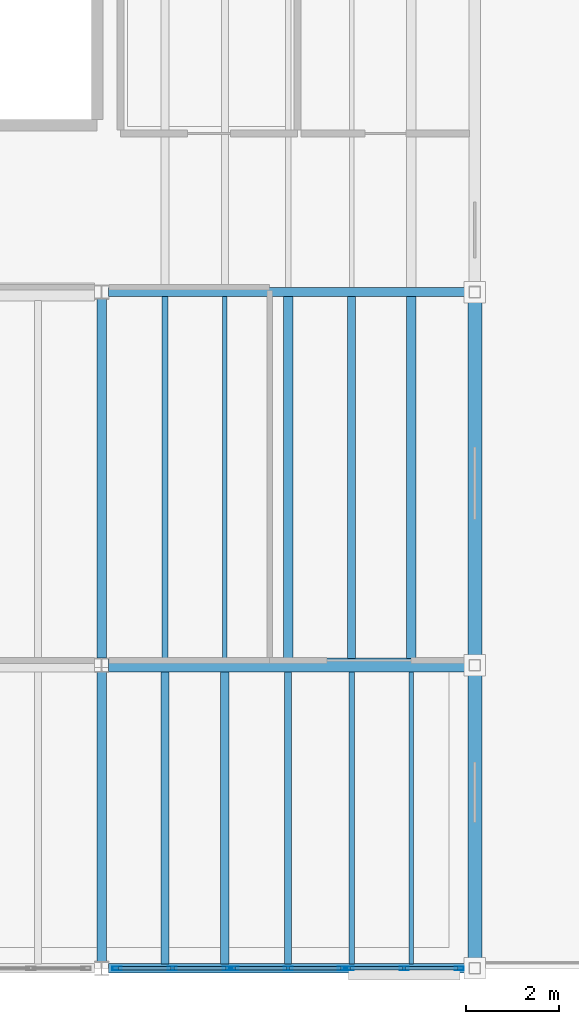
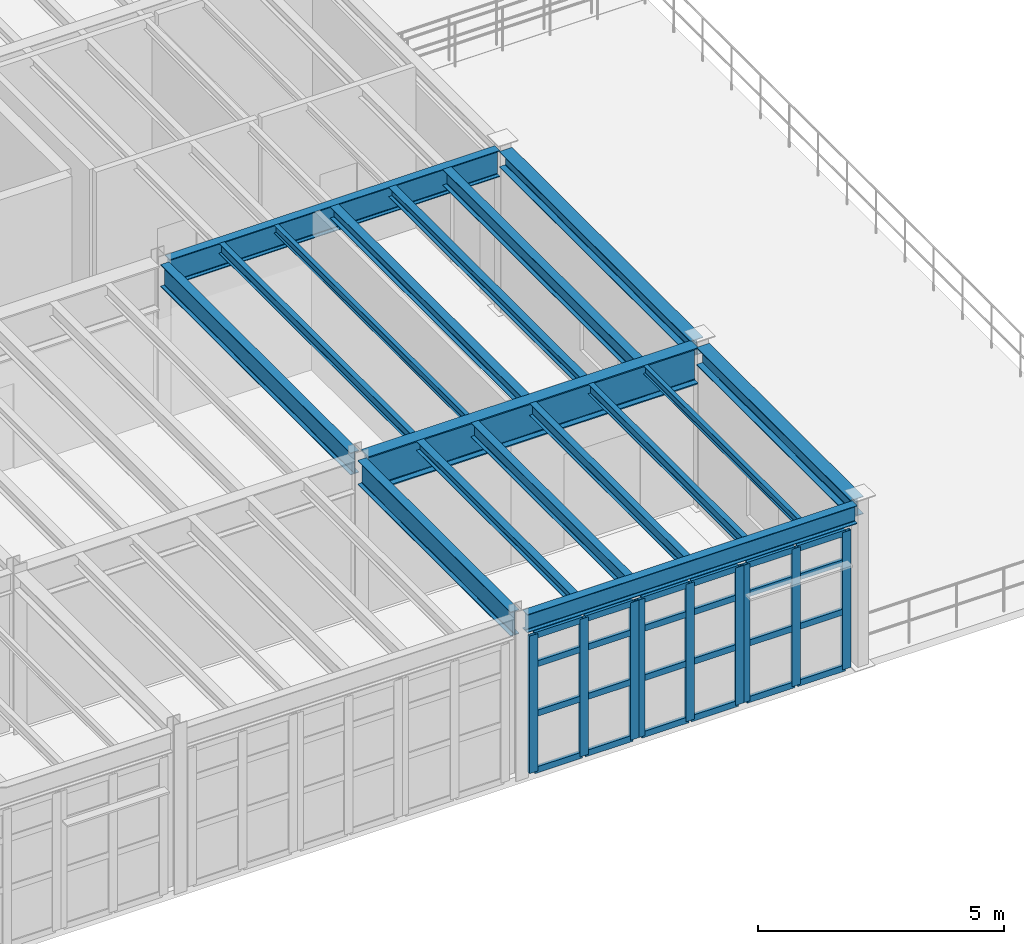
# One storey, part 14 of 78: 33 members, 17 beams, 3 elements without a shape of their own.
"""IFC4 building model written with IfcOpenShell, lengths in metres."""

from ifc_helpers import new_model, si_unit, direction, frame, origin, origin_2d, place, context, subcontext, project, spatial, hollow_rectangle, i_section, extrude, material, material_profile, profile_set, type_object, element, aggregate, save


model = new_model("IFC4")

# Units and contexts
model_context = context("Model", 3, precision=1e-05, world=origin(), true_north=direction((0.0, 1.0)))
body_context = subcontext(model_context, "Body", "Model", "MODEL_VIEW")
ifc_project = project(units=[si_unit("LENGTHUNIT", "METRE"), si_unit("AREAUNIT", "SQUARE_METRE"), si_unit("VOLUMEUNIT", "CUBIC_METRE"), si_unit("PLANEANGLEUNIT", "RADIAN"), si_unit("MASSUNIT", "GRAM", prefix="KILO"), si_unit("THERMODYNAMICTEMPERATUREUNIT", "KELVIN"), si_unit("POWERUNIT", "WATT")], contexts=[model_context])

# Site, building, storey
site_placement = place(None, origin())
site = spatial("IfcSite", under=ifc_project, at=site_placement, CompositionType="ELEMENT")
building_placement = place(site_placement, origin())
building = spatial("IfcBuilding", under=site, at=building_placement, Name="Zhenchuan Central Fire Station", CompositionType="ELEMENT")
storey_placement = place(building_placement, frame((0.0, 0.0, 5.85009765625)))
storey = spatial("IfcBuildingStorey", under=building, at=storey_placement, Name="L02", CompositionType="ELEMENT", Elevation=5.85009765625)

# Beams
ifc_material_1 = material(Name="Steel Q355B", Category="steel")
ifc_material_profile_1 = material_profile(ifc_material_1, i_section(OverallWidth=0.300048828125, OverallDepth=0.389892578125, WebThickness=0.010009765625, FlangeThickness=0.01611328125, FilletRadius=0.02001953125, at=origin_2d()), Name="HM 390x300")
ifc_profile_set_1 = profile_set([ifc_material_profile_1], Name="Steel Q355B")
beam_type_1 = type_object("IfcBeamType", Name="BM-HM390-INT", PredefinedType="BEAM", material=ifc_profile_set_1)
beam_1_placement = place(storey_placement, frame((40.0, 6.625, 3.804931640625), z_axis=(0.0, 1.0, 0.0), x_axis=(-1.0, 0.0, 0.0)))
element("IfcBeam", 1, at=beam_1_placement, inside=storey, type_object=beam_type_1, Name="L03 Girder NS 0305", PredefinedType="BEAM", context=body_context, shape_type="SweptSolid", body=[
    extrude(i_section(OverallWidth=0.300048828125, OverallDepth=0.389892578125, WebThickness=0.010009765625, FlangeThickness=0.01611328125, FilletRadius=0.02001953125, at=origin_2d()), origin(), (0.0, 0.0, 1.0), 7.75),
])
ifc_material_profile_2 = material_profile(ifc_material_1, i_section(OverallWidth=0.300048828125, OverallDepth=0.43994140625, WebThickness=0.010986328125, FlangeThickness=0.01806640625, FilletRadius=0.02197265625, at=origin_2d()), Name="HM 440x300")
ifc_profile_set_2 = profile_set([ifc_material_profile_2], Name="Steel Q355B")
beam_type_2 = type_object("IfcBeamType", Name="BM-HM440-INT", PredefinedType="BEAM", material=ifc_profile_set_2)
beam_2_placement = place(storey_placement, frame((40.0, 0.125, 3.77978515625), z_axis=(0.0, 1.0, 0.0), x_axis=(-1.0, 0.0, 0.0)))
element("IfcBeam", 2, at=beam_2_placement, inside=storey, type_object=beam_type_2, Name="L03 Girder NS 0304", PredefinedType="BEAM", context=body_context, shape_type="SweptSolid", body=[
    extrude(i_section(OverallWidth=0.300048828125, OverallDepth=0.43994140625, WebThickness=0.010986328125, FlangeThickness=0.01806640625, FilletRadius=0.02197265625, at=origin_2d()), origin(), (0.0, 0.0, 1.0), 6.25),
])
ifc_material_profile_3 = material_profile(ifc_material_1, i_section(OverallWidth=0.199951171875, OverallDepth=0.449951171875, WebThickness=0.009033203125, FlangeThickness=0.013916015625, FilletRadius=0.01806640625, at=origin_2d()), Name="HN 450x200")
ifc_profile_set_3 = profile_set([ifc_material_profile_3], Name="Steel Q355B")
beam_type_3 = type_object("IfcBeamType", Name="BM-HN450-EXT", PredefinedType="BEAM", material=ifc_profile_set_3)
beam_3_placement = place(storey_placement, frame((32.14990234375, 0.0, 3.77490234375), z_axis=(1.0, 0.0, 0.0), x_axis=(0.0, 1.0, 0.0)))
element("IfcBeam", 3, at=beam_3_placement, inside=storey, type_object=beam_type_3, Name="L03 Girder EW 0187", PredefinedType="BEAM", context=body_context, shape_type="SweptSolid", body=[
    extrude(i_section(OverallWidth=0.199951171875, OverallDepth=0.449951171875, WebThickness=0.009033203125, FlangeThickness=0.013916015625, FilletRadius=0.01806640625, at=origin_2d()), origin(), (0.0, 0.0, 1.0), 7.72509765625),
])
ifc_material_profile_4 = material_profile(ifc_material_1, i_section(OverallWidth=0.199951171875, OverallDepth=0.550048828125, WebThickness=0.010009765625, FlangeThickness=0.01611328125, FilletRadius=0.02001953125, at=origin_2d()), Name="HN 550x200")
ifc_profile_set_4 = profile_set([ifc_material_profile_4], Name="Steel Q355B")
beam_type_4 = type_object("IfcBeamType", Name="BM-HN550-INT", PredefinedType="BEAM", material=ifc_profile_set_4)
beam_4_placement = place(storey_placement, frame((32.0, 6.64990234375, 3.724853515625), z_axis=(0.0, 1.0, 0.0), x_axis=(-1.0, 0.0, 0.0)))
element("IfcBeam", 4, at=beam_4_placement, inside=storey, type_object=beam_type_4, Name="L03 Girder NS 0300", PredefinedType="BEAM", context=body_context, shape_type="SweptSolid", body=[
    extrude(i_section(OverallWidth=0.199951171875, OverallDepth=0.550048828125, WebThickness=0.010009765625, FlangeThickness=0.01611328125, FilletRadius=0.02001953125, at=origin_2d()), origin(), (0.0, 0.0, 1.0), 7.7001953125),
])
ifc_material_profile_5 = material_profile(ifc_material_1, i_section(OverallWidth=0.199951171875, OverallDepth=0.60009765625, WebThickness=0.010986328125, FlangeThickness=0.01708984375, FilletRadius=0.02197265625, at=origin_2d()), Name="HN 600x200")
ifc_profile_set_5 = profile_set([ifc_material_profile_5], Name="Steel Q355B")
beam_type_5 = type_object("IfcBeamType", Name="BM-HN600-INT", PredefinedType="BEAM", material=ifc_profile_set_5)
beam_5_placement = place(storey_placement, frame((32.0, 0.14990234375, 3.699951171875), z_axis=(0.0, 1.0, 0.0), x_axis=(-1.0, 0.0, 0.0)))
element("IfcBeam", 5, at=beam_5_placement, inside=storey, type_object=beam_type_5, Name="L03 Girder NS 0299", PredefinedType="BEAM", context=body_context, shape_type="SweptSolid", body=[
    extrude(i_section(OverallWidth=0.199951171875, OverallDepth=0.60009765625, WebThickness=0.010986328125, FlangeThickness=0.01708984375, FilletRadius=0.02197265625, at=origin_2d()), origin(), (0.0, 0.0, 1.0), 6.2001953125),
])
ifc_material_profile_6 = material_profile(ifc_material_1, i_section(OverallWidth=0.199951171875, OverallDepth=0.64990234375, WebThickness=0.011962890625, FlangeThickness=0.02001953125, FilletRadius=0.02197265625, at=origin_2d()), Name="HN 650x200")
ifc_profile_set_6 = profile_set([ifc_material_profile_6], Name="Steel Q355B")
beam_type_6 = type_object("IfcBeamType", Name="BM-HN650", PredefinedType="BEAM", material=ifc_profile_set_6)
beam_6_placement = place(storey_placement, frame((32.14990234375, 14.5, 3.6748046875), z_axis=(1.0, 0.0, 0.0), x_axis=(0.0, 1.0, 0.0)))
element("IfcBeam", 6, at=beam_6_placement, inside=storey, type_object=beam_type_6, Name="L03 Girder EW 0211", PredefinedType="BEAM", context=body_context, shape_type="SweptSolid", body=[
    extrude(i_section(OverallWidth=0.199951171875, OverallDepth=0.64990234375, WebThickness=0.011962890625, FlangeThickness=0.02001953125, FilletRadius=0.02197265625, at=origin_2d()), origin(), (0.0, 0.0, 1.0), 7.72509765625),
])
ifc_material_profile_7 = material_profile(ifc_material_1, i_section(OverallWidth=0.300048828125, OverallDepth=0.89990234375, WebThickness=0.01611328125, FlangeThickness=0.028076171875, FilletRadius=0.02587890625, at=origin_2d()), Name="HN 900x300")
ifc_profile_set_7 = profile_set([ifc_material_profile_7], Name="Steel Q355B")
beam_type_7 = type_object("IfcBeamType", Name="BM-HN900", PredefinedType="BEAM", material=ifc_profile_set_7)
beam_7_placement = place(storey_placement, frame((32.14990234375, 6.5, 3.5498046875), z_axis=(1.0, 0.0, 0.0), x_axis=(0.0, 1.0, 0.0)))
element("IfcBeam", 7, at=beam_7_placement, inside=storey, type_object=beam_type_7, Name="L03 Girder EW 0195", PredefinedType="BEAM", context=body_context, shape_type="SweptSolid", body=[
    extrude(i_section(OverallWidth=0.300048828125, OverallDepth=0.89990234375, WebThickness=0.01611328125, FlangeThickness=0.028076171875, FilletRadius=0.02587890625, at=origin_2d()), origin(), (0.0, 0.0, 1.0), 7.72509765625),
])

# Curtain wall, members
ifc_material_2 = material(Name="Anodised aluminium and low-E glazing", Category="aluminium")
curtain_wall_type_1 = type_object("IfcCurtainWallType", Name="CW-MOD-04", PredefinedType="USERDEFINED", material=ifc_material_2)
curtain_wall_1_placement = place(storey_placement, origin())
curtain_wall_1 = element("IfcCurtainWall", 8, at=curtain_wall_1_placement, inside=storey, type_object=curtain_wall_type_1, Name="L02 Unitised Curtain Wall 034", ObjectType="UNITISED GLAZING", PredefinedType="USERDEFINED")
ifc_material_3 = material(Name="Anodised aluminium EN AW-6063", Category="aluminium")
ifc_material_profile_8 = material_profile(ifc_material_3, hollow_rectangle(XDim=0.074951171875, YDim=0.199951171875, WallThickness=0.0048828125, at=origin_2d()), Name="ALU-M 200x75")
ifc_profile_set_8 = profile_set([ifc_material_profile_8], Name="Anodised aluminium EN AW-6063")
member_type_1 = type_object("IfcMemberType", Name="CW-MUL160", PredefinedType="MULLION", material=ifc_profile_set_8)
member_1_placement = place(storey_placement, frame((32.33251953125, 0.0, -0.004150390625), z_axis=(0.0, 0.0, 1.0), x_axis=(0.0, 1.0, 0.0)))
member_1 = element("IfcMember", 9, at=member_1_placement, type_object=member_type_1, Name="CW-04 mullion 1", PredefinedType="MULLION", context=body_context, shape_type="SweptSolid", body=[
    extrude(hollow_rectangle(XDim=0.074951171875, YDim=0.199951171875, WallThickness=0.0048828125, at=origin_2d()), origin(), (0.0, 0.0, 1.0), 3.404052734375),
])
member_2_placement = place(storey_placement, frame((33.514404296875, 0.0, -0.004150390625), z_axis=(0.0, 0.0, 1.0), x_axis=(0.0, 1.0, 0.0)))
member_2 = element("IfcMember", 10, at=member_2_placement, type_object=member_type_1, Name="CW-04 mullion 2", PredefinedType="MULLION", context=body_context, shape_type="SweptSolid", body=[
    extrude(hollow_rectangle(XDim=0.074951171875, YDim=0.199951171875, WallThickness=0.0048828125, at=origin_2d()), origin(), (0.0, 0.0, 1.0), 3.404052734375),
])
member_3_placement = place(storey_placement, frame((34.6962890625, 0.0, -0.004150390625), z_axis=(0.0, 0.0, 1.0), x_axis=(0.0, 1.0, 0.0)))
member_3 = element("IfcMember", 11, at=member_3_placement, type_object=member_type_1, Name="CW-04 mullion 3", PredefinedType="MULLION", context=body_context, shape_type="SweptSolid", body=[
    extrude(hollow_rectangle(XDim=0.074951171875, YDim=0.199951171875, WallThickness=0.0048828125, at=origin_2d()), origin(), (0.0, 0.0, 1.0), 3.404052734375),
])

curtain_wall_type_2 = type_object("IfcCurtainWallType", Name="CW-MOD-05", PredefinedType="USERDEFINED", material=ifc_material_2)
curtain_wall_2_placement = place(storey_placement, origin())
curtain_wall_2 = element("IfcCurtainWall", 12, at=curtain_wall_2_placement, inside=storey, type_object=curtain_wall_type_2, Name="L02 Unitised Curtain Wall 035", ObjectType="UNITISED GLAZING", PredefinedType="USERDEFINED")
member_4_placement = place(storey_placement, frame((34.837158203125, 0.0, -0.004150390625), z_axis=(0.0, 0.0, 1.0), x_axis=(0.0, 1.0, 0.0)))
member_4 = element("IfcMember", 13, at=member_4_placement, type_object=member_type_1, Name="CW-05 mullion 1", PredefinedType="MULLION", context=body_context, shape_type="SweptSolid", body=[
    extrude(hollow_rectangle(XDim=0.074951171875, YDim=0.199951171875, WallThickness=0.0048828125, at=origin_2d()), origin(), (0.0, 0.0, 1.0), 3.404052734375),
])
member_5_placement = place(storey_placement, frame((36.0, 0.0, -0.004150390625), z_axis=(0.0, 0.0, 1.0), x_axis=(0.0, 1.0, 0.0)))
member_5 = element("IfcMember", 14, at=member_5_placement, type_object=member_type_1, Name="CW-05 mullion 2", PredefinedType="MULLION", context=body_context, shape_type="SweptSolid", body=[
    extrude(hollow_rectangle(XDim=0.074951171875, YDim=0.199951171875, WallThickness=0.0048828125, at=origin_2d()), origin(), (0.0, 0.0, 1.0), 3.404052734375),
])
member_6_placement = place(storey_placement, frame((37.162841796875, 0.0, -0.004150390625), z_axis=(0.0, 0.0, 1.0), x_axis=(0.0, 1.0, 0.0)))
member_6 = element("IfcMember", 15, at=member_6_placement, type_object=member_type_1, Name="CW-05 mullion 3", PredefinedType="MULLION", context=body_context, shape_type="SweptSolid", body=[
    extrude(hollow_rectangle(XDim=0.074951171875, YDim=0.199951171875, WallThickness=0.0048828125, at=origin_2d()), origin(), (0.0, 0.0, 1.0), 3.404052734375),
])

curtain_wall_type_3 = type_object("IfcCurtainWallType", Name="CW-MOD-06", PredefinedType="USERDEFINED", material=ifc_material_2)
curtain_wall_3_placement = place(storey_placement, origin())
curtain_wall_3 = element("IfcCurtainWall", 16, at=curtain_wall_3_placement, inside=storey, type_object=curtain_wall_type_3, Name="L02 Unitised Curtain Wall 036", ObjectType="UNITISED GLAZING", PredefinedType="USERDEFINED")
member_7_placement = place(storey_placement, frame((37.3037109375, 0.0, -0.004150390625), z_axis=(0.0, 0.0, 1.0), x_axis=(0.0, 1.0, 0.0)))
member_7 = element("IfcMember", 17, at=member_7_placement, type_object=member_type_1, Name="CW-06 mullion 1", PredefinedType="MULLION", context=body_context, shape_type="SweptSolid", body=[
    extrude(hollow_rectangle(XDim=0.074951171875, YDim=0.199951171875, WallThickness=0.0048828125, at=origin_2d()), origin(), (0.0, 0.0, 1.0), 3.404052734375),
])
member_8_placement = place(storey_placement, frame((38.485595703125, 0.0, -0.004150390625), z_axis=(0.0, 0.0, 1.0), x_axis=(0.0, 1.0, 0.0)))
member_8 = element("IfcMember", 18, at=member_8_placement, type_object=member_type_1, Name="CW-06 mullion 2", PredefinedType="MULLION", context=body_context, shape_type="SweptSolid", body=[
    extrude(hollow_rectangle(XDim=0.074951171875, YDim=0.199951171875, WallThickness=0.0048828125, at=origin_2d()), origin(), (0.0, 0.0, 1.0), 3.404052734375),
])
member_9_placement = place(storey_placement, frame((39.66748046875, 0.0, -0.004150390625), z_axis=(0.0, 0.0, 1.0), x_axis=(0.0, 1.0, 0.0)))
member_9 = element("IfcMember", 19, at=member_9_placement, type_object=member_type_1, Name="CW-06 mullion 3", PredefinedType="MULLION", context=body_context, shape_type="SweptSolid", body=[
    extrude(hollow_rectangle(XDim=0.074951171875, YDim=0.199951171875, WallThickness=0.0048828125, at=origin_2d()), origin(), (0.0, 0.0, 1.0), 3.404052734375),
])

# Member
ifc_material_profile_9 = material_profile(ifc_material_3, hollow_rectangle(XDim=0.074951171875, YDim=0.14990234375, WallThickness=0.0048828125, at=origin_2d()), Name="ALU-T 150x75")
ifc_profile_set_9 = profile_set([ifc_material_profile_9], Name="Anodised aluminium EN AW-6063")
member_type_2 = type_object("IfcMemberType", Name="CW-TRN130", PredefinedType="NOTDEFINED", material=ifc_profile_set_9)
member_10_placement = place(storey_placement, frame((32.364990234375, 0.0, 0.0283203125), z_axis=(1.0, 0.0, 0.0), x_axis=(0.0, 1.0, 0.0)))
member_10 = element("IfcMember", 20, at=member_10_placement, type_object=member_type_2, Name="CW-04 transom 1.1", ObjectType="TRANSOM", PredefinedType="USERDEFINED", context=body_context, shape_type="SweptSolid", body=[
    extrude(hollow_rectangle(XDim=0.074951171875, YDim=0.14990234375, WallThickness=0.0048828125, at=origin_2d()), origin(), (0.0, 0.0, 1.0), 1.116943359375),
])

member_11_placement = place(storey_placement, frame((32.364990234375, 0.0, 1.427978515625), z_axis=(1.0, 0.0, 0.0), x_axis=(0.0, 1.0, 0.0)))
member_11 = element("IfcMember", 21, at=member_11_placement, type_object=member_type_2, Name="CW-04 transom 1.2", ObjectType="TRANSOM", PredefinedType="USERDEFINED", context=body_context, shape_type="SweptSolid", body=[
    extrude(hollow_rectangle(XDim=0.074951171875, YDim=0.14990234375, WallThickness=0.0048828125, at=origin_2d()), origin(), (0.0, 0.0, 1.0), 1.116943359375),
])

member_12_placement = place(storey_placement, frame((32.364990234375, 0.0, 2.65185546875), z_axis=(1.0, 0.0, 0.0), x_axis=(0.0, 1.0, 0.0)))
member_12 = element("IfcMember", 22, at=member_12_placement, type_object=member_type_2, Name="CW-04 transom 1.3", ObjectType="TRANSOM", PredefinedType="USERDEFINED", context=body_context, shape_type="SweptSolid", body=[
    extrude(hollow_rectangle(XDim=0.074951171875, YDim=0.14990234375, WallThickness=0.0048828125, at=origin_2d()), origin(), (0.0, 0.0, 1.0), 1.116943359375),
])

member_13_placement = place(storey_placement, frame((32.364990234375, 0.0, 3.367431640625), z_axis=(1.0, 0.0, 0.0), x_axis=(0.0, 1.0, 0.0)))
member_13 = element("IfcMember", 23, at=member_13_placement, type_object=member_type_2, Name="CW-04 transom 1.4", ObjectType="TRANSOM", PredefinedType="USERDEFINED", context=body_context, shape_type="SweptSolid", body=[
    extrude(hollow_rectangle(XDim=0.074951171875, YDim=0.14990234375, WallThickness=0.0048828125, at=origin_2d()), origin(), (0.0, 0.0, 1.0), 1.116943359375),
])

member_14_placement = place(storey_placement, frame((33.546875, 0.0, 0.0283203125), z_axis=(1.0, 0.0, 0.0), x_axis=(0.0, 1.0, 0.0)))
member_14 = element("IfcMember", 24, at=member_14_placement, type_object=member_type_2, Name="CW-04 transom 2.1", ObjectType="TRANSOM", PredefinedType="USERDEFINED", context=body_context, shape_type="SweptSolid", body=[
    extrude(hollow_rectangle(XDim=0.074951171875, YDim=0.14990234375, WallThickness=0.0048828125, at=origin_2d()), origin(), (0.0, 0.0, 1.0), 1.116943359375),
])

member_15_placement = place(storey_placement, frame((33.546875, 0.0, 1.427978515625), z_axis=(1.0, 0.0, 0.0), x_axis=(0.0, 1.0, 0.0)))
member_15 = element("IfcMember", 25, at=member_15_placement, type_object=member_type_2, Name="CW-04 transom 2.2", ObjectType="TRANSOM", PredefinedType="USERDEFINED", context=body_context, shape_type="SweptSolid", body=[
    extrude(hollow_rectangle(XDim=0.074951171875, YDim=0.14990234375, WallThickness=0.0048828125, at=origin_2d()), origin(), (0.0, 0.0, 1.0), 1.116943359375),
])

member_16_placement = place(storey_placement, frame((33.546875, 0.0, 2.65185546875), z_axis=(1.0, 0.0, 0.0), x_axis=(0.0, 1.0, 0.0)))
member_16 = element("IfcMember", 26, at=member_16_placement, type_object=member_type_2, Name="CW-04 transom 2.3", ObjectType="TRANSOM", PredefinedType="USERDEFINED", context=body_context, shape_type="SweptSolid", body=[
    extrude(hollow_rectangle(XDim=0.074951171875, YDim=0.14990234375, WallThickness=0.0048828125, at=origin_2d()), origin(), (0.0, 0.0, 1.0), 1.116943359375),
])

member_17_placement = place(storey_placement, frame((33.546875, 0.0, 3.367431640625), z_axis=(1.0, 0.0, 0.0), x_axis=(0.0, 1.0, 0.0)))
member_17 = element("IfcMember", 27, at=member_17_placement, type_object=member_type_2, Name="CW-04 transom 2.4", ObjectType="TRANSOM", PredefinedType="USERDEFINED", context=body_context, shape_type="SweptSolid", body=[
    extrude(hollow_rectangle(XDim=0.074951171875, YDim=0.14990234375, WallThickness=0.0048828125, at=origin_2d()), origin(), (0.0, 0.0, 1.0), 1.116943359375),
])

aggregate(curtain_wall_1, [member_1, member_2, member_3, member_10, member_11, member_12, member_13, member_14, member_15, member_16, member_17])

member_18_placement = place(storey_placement, frame((34.86962890625, 0.0, 0.0283203125), z_axis=(1.0, 0.0, 0.0), x_axis=(0.0, 1.0, 0.0)))
member_18 = element("IfcMember", 28, at=member_18_placement, type_object=member_type_2, Name="CW-05 transom 1.1", ObjectType="TRANSOM", PredefinedType="USERDEFINED", context=body_context, shape_type="SweptSolid", body=[
    extrude(hollow_rectangle(XDim=0.074951171875, YDim=0.14990234375, WallThickness=0.0048828125, at=origin_2d()), origin(), (0.0, 0.0, 1.0), 1.097900390625),
])

member_19_placement = place(storey_placement, frame((34.86962890625, 0.0, 1.427978515625), z_axis=(1.0, 0.0, 0.0), x_axis=(0.0, 1.0, 0.0)))
member_19 = element("IfcMember", 29, at=member_19_placement, type_object=member_type_2, Name="CW-05 transom 1.2", ObjectType="TRANSOM", PredefinedType="USERDEFINED", context=body_context, shape_type="SweptSolid", body=[
    extrude(hollow_rectangle(XDim=0.074951171875, YDim=0.14990234375, WallThickness=0.0048828125, at=origin_2d()), origin(), (0.0, 0.0, 1.0), 1.097900390625),
])

member_20_placement = place(storey_placement, frame((34.86962890625, 0.0, 2.65185546875), z_axis=(1.0, 0.0, 0.0), x_axis=(0.0, 1.0, 0.0)))
member_20 = element("IfcMember", 30, at=member_20_placement, type_object=member_type_2, Name="CW-05 transom 1.3", ObjectType="TRANSOM", PredefinedType="USERDEFINED", context=body_context, shape_type="SweptSolid", body=[
    extrude(hollow_rectangle(XDim=0.074951171875, YDim=0.14990234375, WallThickness=0.0048828125, at=origin_2d()), origin(), (0.0, 0.0, 1.0), 1.097900390625),
])

member_21_placement = place(storey_placement, frame((34.86962890625, 0.0, 3.367431640625), z_axis=(1.0, 0.0, 0.0), x_axis=(0.0, 1.0, 0.0)))
member_21 = element("IfcMember", 31, at=member_21_placement, type_object=member_type_2, Name="CW-05 transom 1.4", ObjectType="TRANSOM", PredefinedType="USERDEFINED", context=body_context, shape_type="SweptSolid", body=[
    extrude(hollow_rectangle(XDim=0.074951171875, YDim=0.14990234375, WallThickness=0.0048828125, at=origin_2d()), origin(), (0.0, 0.0, 1.0), 1.097900390625),
])

member_22_placement = place(storey_placement, frame((36.032470703125, 0.0, 0.0283203125), z_axis=(1.0, 0.0, 0.0), x_axis=(0.0, 1.0, 0.0)))
member_22 = element("IfcMember", 32, at=member_22_placement, type_object=member_type_2, Name="CW-05 transom 2.1", ObjectType="TRANSOM", PredefinedType="USERDEFINED", context=body_context, shape_type="SweptSolid", body=[
    extrude(hollow_rectangle(XDim=0.074951171875, YDim=0.14990234375, WallThickness=0.0048828125, at=origin_2d()), origin(), (0.0, 0.0, 1.0), 1.097900390625),
])

member_23_placement = place(storey_placement, frame((36.032470703125, 0.0, 1.427978515625), z_axis=(1.0, 0.0, 0.0), x_axis=(0.0, 1.0, 0.0)))
member_23 = element("IfcMember", 33, at=member_23_placement, type_object=member_type_2, Name="CW-05 transom 2.2", ObjectType="TRANSOM", PredefinedType="USERDEFINED", context=body_context, shape_type="SweptSolid", body=[
    extrude(hollow_rectangle(XDim=0.074951171875, YDim=0.14990234375, WallThickness=0.0048828125, at=origin_2d()), origin(), (0.0, 0.0, 1.0), 1.097900390625),
])

member_24_placement = place(storey_placement, frame((36.032470703125, 0.0, 2.65185546875), z_axis=(1.0, 0.0, 0.0), x_axis=(0.0, 1.0, 0.0)))
member_24 = element("IfcMember", 34, at=member_24_placement, type_object=member_type_2, Name="CW-05 transom 2.3", ObjectType="TRANSOM", PredefinedType="USERDEFINED", context=body_context, shape_type="SweptSolid", body=[
    extrude(hollow_rectangle(XDim=0.074951171875, YDim=0.14990234375, WallThickness=0.0048828125, at=origin_2d()), origin(), (0.0, 0.0, 1.0), 1.097900390625),
])

member_25_placement = place(storey_placement, frame((36.032470703125, 0.0, 3.367431640625), z_axis=(1.0, 0.0, 0.0), x_axis=(0.0, 1.0, 0.0)))
member_25 = element("IfcMember", 35, at=member_25_placement, type_object=member_type_2, Name="CW-05 transom 2.4", ObjectType="TRANSOM", PredefinedType="USERDEFINED", context=body_context, shape_type="SweptSolid", body=[
    extrude(hollow_rectangle(XDim=0.074951171875, YDim=0.14990234375, WallThickness=0.0048828125, at=origin_2d()), origin(), (0.0, 0.0, 1.0), 1.097900390625),
])

aggregate(curtain_wall_2, [member_4, member_5, member_6, member_18, member_19, member_20, member_21, member_22, member_23, member_24, member_25])

member_26_placement = place(storey_placement, frame((37.336181640625, 0.0, 0.0283203125), z_axis=(1.0, 0.0, 0.0), x_axis=(0.0, 1.0, 0.0)))
member_26 = element("IfcMember", 36, at=member_26_placement, type_object=member_type_2, Name="CW-06 transom 1.1", ObjectType="TRANSOM", PredefinedType="USERDEFINED", context=body_context, shape_type="SweptSolid", body=[
    extrude(hollow_rectangle(XDim=0.074951171875, YDim=0.14990234375, WallThickness=0.0048828125, at=origin_2d()), origin(), (0.0, 0.0, 1.0), 1.116943359375),
])

member_27_placement = place(storey_placement, frame((37.336181640625, 0.0, 1.427978515625), z_axis=(1.0, 0.0, 0.0), x_axis=(0.0, 1.0, 0.0)))
member_27 = element("IfcMember", 37, at=member_27_placement, type_object=member_type_2, Name="CW-06 transom 1.2", ObjectType="TRANSOM", PredefinedType="USERDEFINED", context=body_context, shape_type="SweptSolid", body=[
    extrude(hollow_rectangle(XDim=0.074951171875, YDim=0.14990234375, WallThickness=0.0048828125, at=origin_2d()), origin(), (0.0, 0.0, 1.0), 1.116943359375),
])

member_28_placement = place(storey_placement, frame((37.336181640625, 0.0, 2.65185546875), z_axis=(1.0, 0.0, 0.0), x_axis=(0.0, 1.0, 0.0)))
member_28 = element("IfcMember", 38, at=member_28_placement, type_object=member_type_2, Name="CW-06 transom 1.3", ObjectType="TRANSOM", PredefinedType="USERDEFINED", context=body_context, shape_type="SweptSolid", body=[
    extrude(hollow_rectangle(XDim=0.074951171875, YDim=0.14990234375, WallThickness=0.0048828125, at=origin_2d()), origin(), (0.0, 0.0, 1.0), 1.116943359375),
])

member_29_placement = place(storey_placement, frame((37.336181640625, 0.0, 3.367431640625), z_axis=(1.0, 0.0, 0.0), x_axis=(0.0, 1.0, 0.0)))
member_29 = element("IfcMember", 39, at=member_29_placement, type_object=member_type_2, Name="CW-06 transom 1.4", ObjectType="TRANSOM", PredefinedType="USERDEFINED", context=body_context, shape_type="SweptSolid", body=[
    extrude(hollow_rectangle(XDim=0.074951171875, YDim=0.14990234375, WallThickness=0.0048828125, at=origin_2d()), origin(), (0.0, 0.0, 1.0), 1.116943359375),
])

member_30_placement = place(storey_placement, frame((38.51806640625, 0.0, 0.0283203125), z_axis=(1.0, 0.0, 0.0), x_axis=(0.0, 1.0, 0.0)))
member_30 = element("IfcMember", 40, at=member_30_placement, type_object=member_type_2, Name="CW-06 transom 2.1", ObjectType="TRANSOM", PredefinedType="USERDEFINED", context=body_context, shape_type="SweptSolid", body=[
    extrude(hollow_rectangle(XDim=0.074951171875, YDim=0.14990234375, WallThickness=0.0048828125, at=origin_2d()), origin(), (0.0, 0.0, 1.0), 1.116943359375),
])

member_31_placement = place(storey_placement, frame((38.51806640625, 0.0, 1.427978515625), z_axis=(1.0, 0.0, 0.0), x_axis=(0.0, 1.0, 0.0)))
member_31 = element("IfcMember", 41, at=member_31_placement, type_object=member_type_2, Name="CW-06 transom 2.2", ObjectType="TRANSOM", PredefinedType="USERDEFINED", context=body_context, shape_type="SweptSolid", body=[
    extrude(hollow_rectangle(XDim=0.074951171875, YDim=0.14990234375, WallThickness=0.0048828125, at=origin_2d()), origin(), (0.0, 0.0, 1.0), 1.116943359375),
])

member_32_placement = place(storey_placement, frame((38.51806640625, 0.0, 2.65185546875), z_axis=(1.0, 0.0, 0.0), x_axis=(0.0, 1.0, 0.0)))
member_32 = element("IfcMember", 42, at=member_32_placement, type_object=member_type_2, Name="CW-06 transom 2.3", ObjectType="TRANSOM", PredefinedType="USERDEFINED", context=body_context, shape_type="SweptSolid", body=[
    extrude(hollow_rectangle(XDim=0.074951171875, YDim=0.14990234375, WallThickness=0.0048828125, at=origin_2d()), origin(), (0.0, 0.0, 1.0), 1.116943359375),
])

member_33_placement = place(storey_placement, frame((38.51806640625, 0.0, 3.367431640625), z_axis=(1.0, 0.0, 0.0), x_axis=(0.0, 1.0, 0.0)))
member_33 = element("IfcMember", 43, at=member_33_placement, type_object=member_type_2, Name="CW-06 transom 2.4", ObjectType="TRANSOM", PredefinedType="USERDEFINED", context=body_context, shape_type="SweptSolid", body=[
    extrude(hollow_rectangle(XDim=0.074951171875, YDim=0.14990234375, WallThickness=0.0048828125, at=origin_2d()), origin(), (0.0, 0.0, 1.0), 1.116943359375),
])

aggregate(curtain_wall_3, [member_7, member_8, member_9, member_26, member_27, member_28, member_29, member_30, member_31, member_32, member_33])

# Beams
ifc_material_profile_10 = material_profile(ifc_material_1, i_section(OverallWidth=0.175048828125, OverallDepth=0.243896484375, WebThickness=0.007080078125, FlangeThickness=0.010986328125, FilletRadius=0.012939453125, at=origin_2d()), Name="HM 244x175")
ifc_profile_set_10 = profile_set([ifc_material_profile_10], Name="Steel Q355B")
beam_type_8 = type_object("IfcBeamType", Name="JS-HM244", PredefinedType="JOIST", material=ifc_profile_set_10)
beam_8_placement = place(storey_placement, frame((33.360107421875, 0.096923828125, 3.8779296875), z_axis=(0.0, 1.0, 0.0), x_axis=(-1.0, 0.0, 0.0)))
element("IfcBeam", 44, at=beam_8_placement, inside=storey, type_object=beam_type_8, Name="L03 Secondary Joist 0312", PredefinedType="JOIST", context=body_context, shape_type="SweptSolid", body=[
    extrude(i_section(OverallWidth=0.175048828125, OverallDepth=0.243896484375, WebThickness=0.007080078125, FlangeThickness=0.010986328125, FilletRadius=0.012939453125, at=origin_2d()), origin(), (0.0, 0.0, 1.0), 6.256103515625),
])
beam_9_placement = place(storey_placement, frame((37.360107421875, 6.64697265625, 3.8779296875), z_axis=(0.0, 1.0, 0.0), x_axis=(-1.0, 0.0, 0.0)))
element("IfcBeam", 45, at=beam_9_placement, inside=storey, type_object=beam_type_8, Name="L03 Secondary Joist 0350", PredefinedType="JOIST", context=body_context, shape_type="SweptSolid", body=[
    extrude(i_section(OverallWidth=0.175048828125, OverallDepth=0.243896484375, WebThickness=0.007080078125, FlangeThickness=0.010986328125, FilletRadius=0.012939453125, at=origin_2d()), origin(), (0.0, 0.0, 1.0), 7.756103515625),
])
ifc_material_profile_11 = material_profile(ifc_material_1, i_section(OverallWidth=0.199951171875, OverallDepth=0.2939453125, WebThickness=0.008056640625, FlangeThickness=0.011962890625, FilletRadius=0.01611328125, at=origin_2d()), Name="HM 294x200")
ifc_profile_set_11 = profile_set([ifc_material_profile_11], Name="Steel Q355B")
beam_type_9 = type_object("IfcBeamType", Name="JS-HM294", PredefinedType="JOIST", material=ifc_profile_set_11)
beam_10_placement = place(storey_placement, frame((36.0, 6.64697265625, 3.852783203125), z_axis=(0.0, 1.0, 0.0), x_axis=(-1.0, 0.0, 0.0)))
element("IfcBeam", 46, at=beam_10_placement, inside=storey, type_object=beam_type_9, Name="L03 Secondary Joist 0349", PredefinedType="JOIST", context=body_context, shape_type="SweptSolid", body=[
    extrude(i_section(OverallWidth=0.199951171875, OverallDepth=0.2939453125, WebThickness=0.008056640625, FlangeThickness=0.011962890625, FilletRadius=0.01611328125, at=origin_2d()), origin(), (0.0, 0.0, 1.0), 7.756103515625),
])
ifc_material_profile_12 = material_profile(ifc_material_1, i_section(OverallWidth=0.10009765625, OverallDepth=0.199951171875, WebThickness=0.005615234375, FlangeThickness=0.008056640625, FilletRadius=0.010986328125, at=origin_2d()), Name="HN 200x100")
ifc_profile_set_12 = profile_set([ifc_material_profile_12], Name="Steel Q355B")
beam_type_10 = type_object("IfcBeamType", Name="JS-HN200", PredefinedType="JOIST", material=ifc_profile_set_12)
beam_11_placement = place(storey_placement, frame((38.639892578125, 0.096923828125, 3.89990234375), z_axis=(0.0, 1.0, 0.0), x_axis=(-1.0, 0.0, 0.0)))
element("IfcBeam", 47, at=beam_11_placement, inside=storey, type_object=beam_type_10, Name="L03 Secondary Joist 0316", PredefinedType="JOIST", context=body_context, shape_type="SweptSolid", body=[
    extrude(i_section(OverallWidth=0.10009765625, OverallDepth=0.199951171875, WebThickness=0.005615234375, FlangeThickness=0.008056640625, FilletRadius=0.010986328125, at=origin_2d()), origin(), (0.0, 0.0, 1.0), 6.256103515625),
])
beam_12_placement = place(storey_placement, frame((34.639892578125, 6.64697265625, 3.89990234375), z_axis=(0.0, 1.0, 0.0), x_axis=(-1.0, 0.0, 0.0)))
element("IfcBeam", 48, at=beam_12_placement, inside=storey, type_object=beam_type_10, Name="L03 Secondary Joist 0348", PredefinedType="JOIST", context=body_context, shape_type="SweptSolid", body=[
    extrude(i_section(OverallWidth=0.10009765625, OverallDepth=0.199951171875, WebThickness=0.005615234375, FlangeThickness=0.008056640625, FilletRadius=0.010986328125, at=origin_2d()), origin(), (0.0, 0.0, 1.0), 7.756103515625),
])
ifc_material_profile_13 = material_profile(ifc_material_1, i_section(OverallWidth=0.125, OverallDepth=0.25, WebThickness=0.006103515625, FlangeThickness=0.009033203125, FilletRadius=0.011962890625, at=origin_2d()), Name="HN 250x125")
ifc_profile_set_13 = profile_set([ifc_material_profile_13], Name="Steel Q355B")
beam_type_11 = type_object("IfcBeamType", Name="JS-HN250", PredefinedType="JOIST", material=ifc_profile_set_13)
beam_13_placement = place(storey_placement, frame((37.360107421875, 0.096923828125, 3.875), z_axis=(0.0, 1.0, 0.0), x_axis=(-1.0, 0.0, 0.0)))
element("IfcBeam", 49, at=beam_13_placement, inside=storey, type_object=beam_type_11, Name="L03 Secondary Joist 0315", PredefinedType="JOIST", context=body_context, shape_type="SweptSolid", body=[
    extrude(i_section(OverallWidth=0.125, OverallDepth=0.25, WebThickness=0.006103515625, FlangeThickness=0.009033203125, FilletRadius=0.011962890625, at=origin_2d()), origin(), (0.0, 0.0, 1.0), 6.256103515625),
])
beam_14_placement = place(storey_placement, frame((33.360107421875, 6.64697265625, 3.875), z_axis=(0.0, 1.0, 0.0), x_axis=(-1.0, 0.0, 0.0)))
element("IfcBeam", 50, at=beam_14_placement, inside=storey, type_object=beam_type_11, Name="L03 Secondary Joist 0347", PredefinedType="JOIST", context=body_context, shape_type="SweptSolid", body=[
    extrude(i_section(OverallWidth=0.125, OverallDepth=0.25, WebThickness=0.006103515625, FlangeThickness=0.009033203125, FilletRadius=0.011962890625, at=origin_2d()), origin(), (0.0, 0.0, 1.0), 7.756103515625),
])
ifc_material_profile_14 = material_profile(ifc_material_1, i_section(OverallWidth=0.14990234375, OverallDepth=0.300048828125, WebThickness=0.006591796875, FlangeThickness=0.009033203125, FilletRadius=0.012939453125, at=origin_2d()), Name="HN 300x150")
ifc_profile_set_14 = profile_set([ifc_material_profile_14], Name="Steel Q355B")
beam_type_12 = type_object("IfcBeamType", Name="JS-HN300", PredefinedType="JOIST", material=ifc_profile_set_14)
beam_15_placement = place(storey_placement, frame((36.0, 0.096923828125, 3.849853515625), z_axis=(0.0, 1.0, 0.0), x_axis=(-1.0, 0.0, 0.0)))
element("IfcBeam", 51, at=beam_15_placement, inside=storey, type_object=beam_type_12, Name="L03 Secondary Joist 0314", PredefinedType="JOIST", context=body_context, shape_type="SweptSolid", body=[
    extrude(i_section(OverallWidth=0.14990234375, OverallDepth=0.300048828125, WebThickness=0.006591796875, FlangeThickness=0.009033203125, FilletRadius=0.012939453125, at=origin_2d()), origin(), (0.0, 0.0, 1.0), 6.256103515625),
])
ifc_material_profile_15 = material_profile(ifc_material_1, i_section(OverallWidth=0.175048828125, OverallDepth=0.35009765625, WebThickness=0.007080078125, FlangeThickness=0.010986328125, FilletRadius=0.013916015625, at=origin_2d()), Name="HN 350x175")
ifc_profile_set_15 = profile_set([ifc_material_profile_15], Name="Steel Q355B")
beam_type_13 = type_object("IfcBeamType", Name="JS-HN350", PredefinedType="JOIST", material=ifc_profile_set_15)
beam_16_placement = place(storey_placement, frame((34.639892578125, 0.096923828125, 3.824951171875), z_axis=(0.0, 1.0, 0.0), x_axis=(-1.0, 0.0, 0.0)))
element("IfcBeam", 52, at=beam_16_placement, inside=storey, type_object=beam_type_13, Name="L03 Secondary Joist 0313", PredefinedType="JOIST", context=body_context, shape_type="SweptSolid", body=[
    extrude(i_section(OverallWidth=0.175048828125, OverallDepth=0.35009765625, WebThickness=0.007080078125, FlangeThickness=0.010986328125, FilletRadius=0.013916015625, at=origin_2d()), origin(), (0.0, 0.0, 1.0), 6.256103515625),
])
ifc_material_profile_16 = material_profile(ifc_material_1, i_section(OverallWidth=0.199951171875, OverallDepth=0.39990234375, WebThickness=0.008056640625, FlangeThickness=0.012939453125, FilletRadius=0.01611328125, at=origin_2d()), Name="HN 400x200")
ifc_profile_set_16 = profile_set([ifc_material_profile_16], Name="Steel Q355B")
beam_type_14 = type_object("IfcBeamType", Name="JS-HN400", PredefinedType="JOIST", material=ifc_profile_set_16)
beam_17_placement = place(storey_placement, frame((38.639892578125, 6.64697265625, 3.7998046875), z_axis=(0.0, 1.0, 0.0), x_axis=(-1.0, 0.0, 0.0)))
element("IfcBeam", 53, at=beam_17_placement, inside=storey, type_object=beam_type_14, Name="L03 Secondary Joist 0351", PredefinedType="JOIST", context=body_context, shape_type="SweptSolid", body=[
    extrude(i_section(OverallWidth=0.199951171875, OverallDepth=0.39990234375, WebThickness=0.008056640625, FlangeThickness=0.012939453125, FilletRadius=0.01611328125, at=origin_2d()), origin(), (0.0, 0.0, 1.0), 7.756103515625),
])

save(model, "model.ifc")
